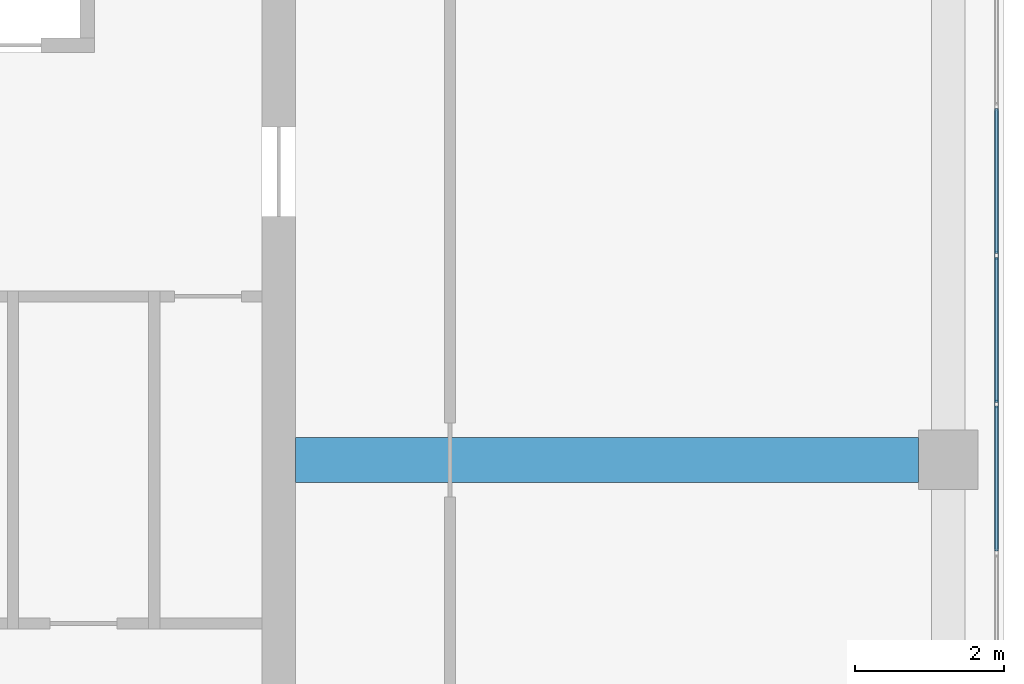
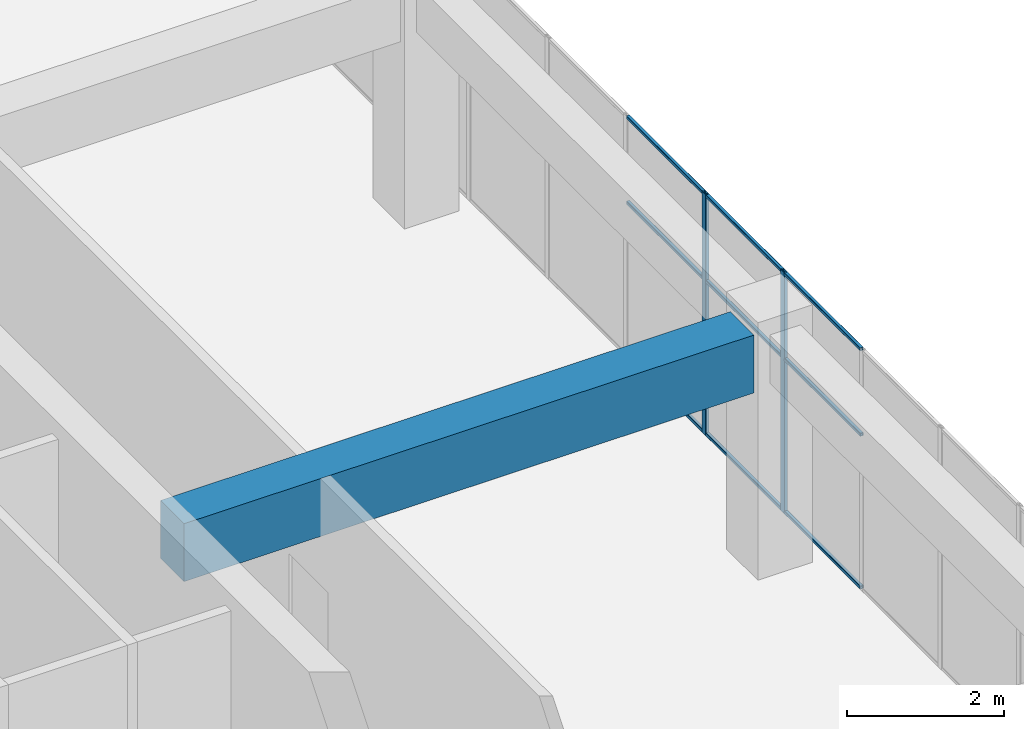
# One storey, part 42 of 65: 11 members, 1 beam, 1 element without a shape of its own.
"""IFC4 building model written with IfcOpenShell, lengths in metres."""

from ifc_helpers import new_model, si_unit, direction, frame, origin, origin_2d, place, context, subcontext, project, spatial, rectangle, hollow_rectangle, extrude, material, layer, layer_set, material_profile, profile_set, type_object, element, aggregate, save


model = new_model("IFC4")

# Units and contexts
model_context = context("Model", 3, precision=1e-05, world=origin(), true_north=direction((0.0, 1.0)))
body_context = subcontext(model_context, "Body", "Model", "MODEL_VIEW")
ifc_project = project(units=[si_unit("LENGTHUNIT", "METRE"), si_unit("AREAUNIT", "SQUARE_METRE"), si_unit("VOLUMEUNIT", "CUBIC_METRE"), si_unit("PLANEANGLEUNIT", "RADIAN"), si_unit("MASSUNIT", "GRAM", prefix="KILO")], contexts=[model_context])

# Site, building, storey
site_placement = place(None, origin())
site = spatial("IfcSite", under=ifc_project, at=site_placement, CompositionType="ELEMENT")
building_placement = place(site_placement, origin())
building = spatial("IfcBuilding", under=site, at=building_placement, Name="Tuart Plaza Theatre", CompositionType="ELEMENT")
storey_placement = place(building_placement, frame((0.0, 0.0, 9.5)))
storey = spatial("IfcBuildingStorey", under=building, at=storey_placement, Name="L02", CompositionType="ELEMENT", Elevation=9.5)

# Beam
ifc_material_1 = material(Name="Concrete N40 (40 MPa)", Category="concrete")
ifc_material_profile_1 = material_profile(ifc_material_1, rectangle(XDim=0.60009765625, YDim=0.89990234375, at=origin_2d()), Name="BEAM 600x900 Concrete N40 (40 MPa)")
ifc_profile_set_1 = profile_set([ifc_material_profile_1], Name="Concrete N40 (40 MPa)")
beam_type = type_object("IfcBeamType", Name="BEAM 600x900 Concrete N40 (40 MPa)", PredefinedType="BEAM", material=ifc_profile_set_1)
beam_placement = place(storey_placement, frame((141.22509765625, 74.0, 3.300048828125), z_axis=(1.0, 0.0, 0.0), x_axis=(0.0, 1.0, 0.0)))
element("IfcBeam", 1, at=beam_placement, inside=storey, type_object=beam_type, Name="RB195", PredefinedType="BEAM", context=body_context, shape_type="SweptSolid", body=[
    extrude(rectangle(XDim=0.60009765625, YDim=0.89990234375, at=origin_2d()), origin(), (0.0, 0.0, 1.0), 8.375),
])

# Curtain wall, members
ifc_material_2 = material(Name="Aluminium and glass", Category="aluminium")
ifc_layer = layer(ifc_material_2, 0.10009765625)
ifc_layer_set = layer_set([ifc_layer], Name="CURTAIN WALL 2000 module")
curtain_wall_type = type_object("IfcCurtainWallType", Name="CURTAIN WALL 2000 module", PredefinedType="NOTDEFINED", material=ifc_layer_set)
curtain_wall_placement = place(storey_placement, origin())
curtain_wall = element("IfcCurtainWall", 2, at=curtain_wall_placement, inside=storey, type_object=curtain_wall_type, Name="CW69", PredefinedType="NOTDEFINED")
ifc_material_3 = material(Name="Aluminium 6063-T5", Category="aluminium")
ifc_material_profile_2 = material_profile(ifc_material_3, hollow_rectangle(XDim=0.050048828125, YDim=0.10009765625, WallThickness=0.00390625, InnerFilletRadius=0.00390625, OuterFilletRadius=0.008056640625, at=origin_2d()), Name="RHS 100x50x4")
ifc_profile_set_2 = profile_set([ifc_material_profile_2], Name="Aluminium 6063-T5")
member_type_1 = type_object("IfcMemberType", Name="MULLION RHS 100x50x4", PredefinedType="MULLION", material=ifc_profile_set_2)
member_1_placement = place(storey_placement, frame((150.64990234375, 74.75, 0.0), z_axis=(0.0, 0.0, 1.0), x_axis=(-1.0, 0.0, 0.0)))
member_1 = element("IfcMember", 3, at=member_1_placement, type_object=member_type_1, Name="CW69 mullion 13", PredefinedType="MULLION", context=body_context, shape_type="SweptSolid", body=[
    extrude(hollow_rectangle(XDim=0.050048828125, YDim=0.10009765625, WallThickness=0.00390625, InnerFilletRadius=0.00390625, OuterFilletRadius=0.008056640625, at=origin_2d()), origin(), (0.0, 0.0, 1.0), 3.75),
])
member_2_placement = place(storey_placement, frame((150.64990234375, 76.75, 0.0), z_axis=(0.0, 0.0, 1.0), x_axis=(-1.0, 0.0, 0.0)))
member_2 = element("IfcMember", 4, at=member_2_placement, type_object=member_type_1, Name="CW69 mullion 14", PredefinedType="MULLION", context=body_context, shape_type="SweptSolid", body=[
    extrude(hollow_rectangle(XDim=0.050048828125, YDim=0.10009765625, WallThickness=0.00390625, InnerFilletRadius=0.00390625, OuterFilletRadius=0.008056640625, at=origin_2d()), origin(), (0.0, 0.0, 1.0), 3.75),
])
ifc_material_4 = material(Name="Aluminium 6063-T5", Category="aluminium")
ifc_material_profile_3 = material_profile(ifc_material_4, hollow_rectangle(XDim=0.050048828125, YDim=0.050048828125, WallThickness=0.00390625, InnerFilletRadius=0.00390625, OuterFilletRadius=0.008056640625, at=origin_2d()), Name="RHS 50x50x4")
ifc_profile_set_3 = profile_set([ifc_material_profile_3], Name="Aluminium 6063-T5")
member_type_2 = type_object("IfcMemberType", Name="TRANSOM RHS 50x50x4", PredefinedType="USERDEFINED", material=ifc_profile_set_3)
member_3_placement = place(storey_placement, frame((150.64990234375, 72.77490234375, 0.02490234375), z_axis=(0.0, 1.0, 0.0), x_axis=(-1.0, 0.0, 0.0)))
member_3 = element("IfcMember", 5, at=member_3_placement, type_object=member_type_2, Name="CW69 transom 12.1", ObjectType="TRANSOM", PredefinedType="USERDEFINED", context=body_context, shape_type="SweptSolid", body=[
    extrude(hollow_rectangle(XDim=0.050048828125, YDim=0.050048828125, WallThickness=0.00390625, InnerFilletRadius=0.00390625, OuterFilletRadius=0.008056640625, at=origin_2d()), origin(), (0.0, 0.0, 1.0), 1.9501953125),
])
member_4_placement = place(storey_placement, frame((150.64990234375, 72.77490234375, 2.39990234375), z_axis=(0.0, 1.0, 0.0), x_axis=(-1.0, 0.0, 0.0)))
member_4 = element("IfcMember", 6, at=member_4_placement, type_object=member_type_2, Name="CW69 transom 12.2", ObjectType="TRANSOM", PredefinedType="USERDEFINED", context=body_context, shape_type="SweptSolid", body=[
    extrude(hollow_rectangle(XDim=0.050048828125, YDim=0.050048828125, WallThickness=0.00390625, InnerFilletRadius=0.00390625, OuterFilletRadius=0.008056640625, at=origin_2d()), origin(), (0.0, 0.0, 1.0), 1.9501953125),
])
member_5_placement = place(storey_placement, frame((150.64990234375, 72.77490234375, 3.72509765625), z_axis=(0.0, 1.0, 0.0), x_axis=(-1.0, 0.0, 0.0)))
member_5 = element("IfcMember", 7, at=member_5_placement, type_object=member_type_2, Name="CW69 transom 12.3", ObjectType="TRANSOM", PredefinedType="USERDEFINED", context=body_context, shape_type="SweptSolid", body=[
    extrude(hollow_rectangle(XDim=0.050048828125, YDim=0.050048828125, WallThickness=0.00390625, InnerFilletRadius=0.00390625, OuterFilletRadius=0.008056640625, at=origin_2d()), origin(), (0.0, 0.0, 1.0), 1.9501953125),
])
member_6_placement = place(storey_placement, frame((150.64990234375, 74.77490234375, 0.02490234375), z_axis=(0.0, 1.0, 0.0), x_axis=(-1.0, 0.0, 0.0)))
member_6 = element("IfcMember", 8, at=member_6_placement, type_object=member_type_2, Name="CW69 transom 13.1", ObjectType="TRANSOM", PredefinedType="USERDEFINED", context=body_context, shape_type="SweptSolid", body=[
    extrude(hollow_rectangle(XDim=0.050048828125, YDim=0.050048828125, WallThickness=0.00390625, InnerFilletRadius=0.00390625, OuterFilletRadius=0.008056640625, at=origin_2d()), origin(), (0.0, 0.0, 1.0), 1.9501953125),
])
member_7_placement = place(storey_placement, frame((150.64990234375, 74.77490234375, 2.39990234375), z_axis=(0.0, 1.0, 0.0), x_axis=(-1.0, 0.0, 0.0)))
member_7 = element("IfcMember", 9, at=member_7_placement, type_object=member_type_2, Name="CW69 transom 13.2", ObjectType="TRANSOM", PredefinedType="USERDEFINED", context=body_context, shape_type="SweptSolid", body=[
    extrude(hollow_rectangle(XDim=0.050048828125, YDim=0.050048828125, WallThickness=0.00390625, InnerFilletRadius=0.00390625, OuterFilletRadius=0.008056640625, at=origin_2d()), origin(), (0.0, 0.0, 1.0), 1.9501953125),
])
member_8_placement = place(storey_placement, frame((150.64990234375, 74.77490234375, 3.72509765625), z_axis=(0.0, 1.0, 0.0), x_axis=(-1.0, 0.0, 0.0)))
member_8 = element("IfcMember", 10, at=member_8_placement, type_object=member_type_2, Name="CW69 transom 13.3", ObjectType="TRANSOM", PredefinedType="USERDEFINED", context=body_context, shape_type="SweptSolid", body=[
    extrude(hollow_rectangle(XDim=0.050048828125, YDim=0.050048828125, WallThickness=0.00390625, InnerFilletRadius=0.00390625, OuterFilletRadius=0.008056640625, at=origin_2d()), origin(), (0.0, 0.0, 1.0), 1.9501953125),
])
member_9_placement = place(storey_placement, frame((150.64990234375, 76.77490234375, 0.02490234375), z_axis=(0.0, 1.0, 0.0), x_axis=(-1.0, 0.0, 0.0)))
member_9 = element("IfcMember", 11, at=member_9_placement, type_object=member_type_2, Name="CW69 transom 14.1", ObjectType="TRANSOM", PredefinedType="USERDEFINED", context=body_context, shape_type="SweptSolid", body=[
    extrude(hollow_rectangle(XDim=0.050048828125, YDim=0.050048828125, WallThickness=0.00390625, InnerFilletRadius=0.00390625, OuterFilletRadius=0.008056640625, at=origin_2d()), origin(), (0.0, 0.0, 1.0), 1.9501953125),
])
member_10_placement = place(storey_placement, frame((150.64990234375, 76.77490234375, 2.39990234375), z_axis=(0.0, 1.0, 0.0), x_axis=(-1.0, 0.0, 0.0)))
member_10 = element("IfcMember", 12, at=member_10_placement, type_object=member_type_2, Name="CW69 transom 14.2", ObjectType="TRANSOM", PredefinedType="USERDEFINED", context=body_context, shape_type="SweptSolid", body=[
    extrude(hollow_rectangle(XDim=0.050048828125, YDim=0.050048828125, WallThickness=0.00390625, InnerFilletRadius=0.00390625, OuterFilletRadius=0.008056640625, at=origin_2d()), origin(), (0.0, 0.0, 1.0), 1.9501953125),
])
member_11_placement = place(storey_placement, frame((150.64990234375, 76.77490234375, 3.72509765625), z_axis=(0.0, 1.0, 0.0), x_axis=(-1.0, 0.0, 0.0)))
member_11 = element("IfcMember", 13, at=member_11_placement, type_object=member_type_2, Name="CW69 transom 14.3", ObjectType="TRANSOM", PredefinedType="USERDEFINED", context=body_context, shape_type="SweptSolid", body=[
    extrude(hollow_rectangle(XDim=0.050048828125, YDim=0.050048828125, WallThickness=0.00390625, InnerFilletRadius=0.00390625, OuterFilletRadius=0.008056640625, at=origin_2d()), origin(), (0.0, 0.0, 1.0), 1.9501953125),
])
aggregate(curtain_wall, [member_1, member_2, member_3, member_4, member_5, member_6, member_7, member_8, member_9, member_10, member_11])

save(model, "model.ifc")
